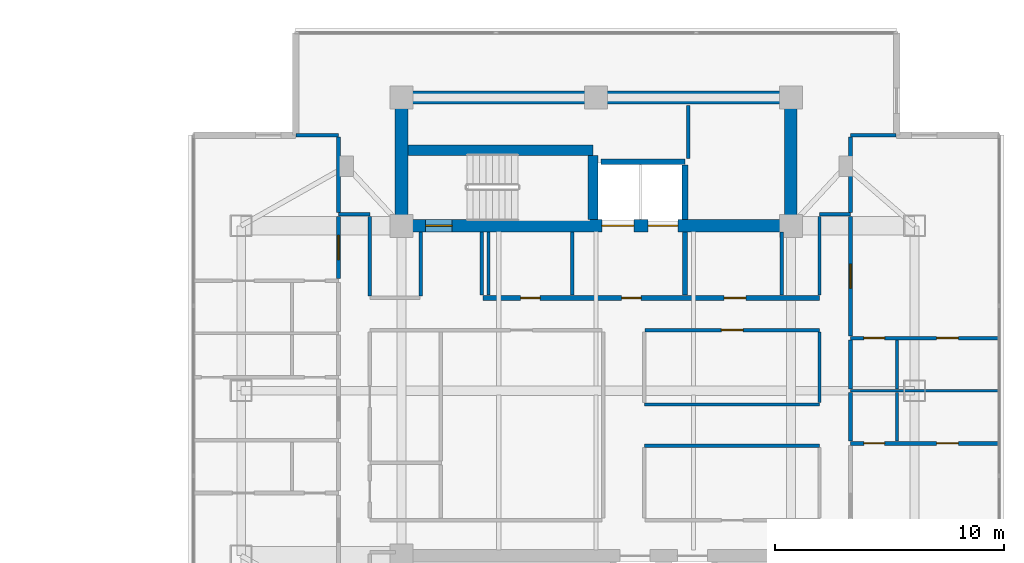
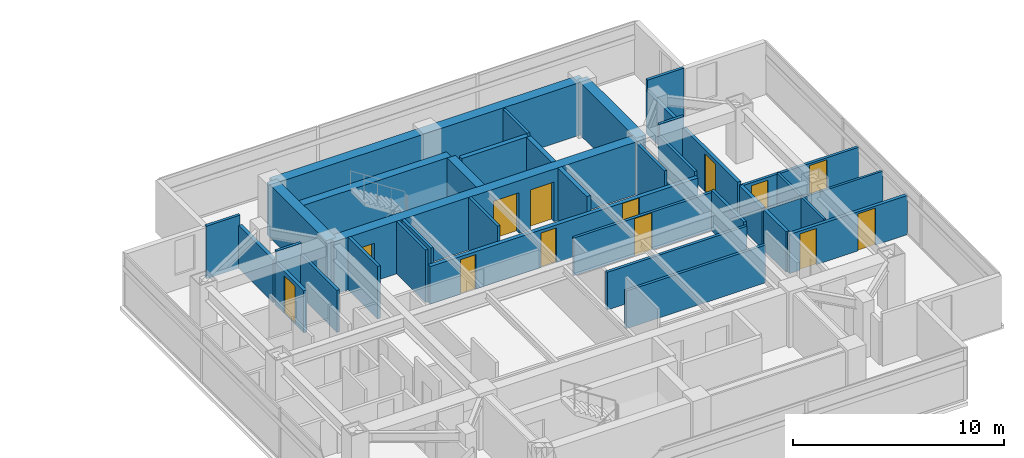
# One storey, part 17 of 24: 37 walls, 13 doors, 13 openings.
"""IFC4 building model written with IfcOpenShell, lengths in metres."""

from ifc_helpers import new_model, si_unit, direction, frame, frame_2d, origin, place, context, subcontext, project, spatial, rectangle, extrude, material, layer, layer_set, type_object, element, fill, save


model = new_model("IFC4")

# Units and contexts
model_context = context("Model", 3, precision=1e-05, world=origin(), true_north=direction((0.0, 1.0)))
body_context = subcontext(model_context, "Body", "Model", "MODEL_VIEW")
ifc_project = project(units=[si_unit("LENGTHUNIT", "METRE"), si_unit("AREAUNIT", "SQUARE_METRE"), si_unit("VOLUMEUNIT", "CUBIC_METRE"), si_unit("PLANEANGLEUNIT", "RADIAN"), si_unit("MASSUNIT", "GRAM", prefix="KILO")], contexts=[model_context])

# Site, building, storey
site_placement = place(None, origin())
site = spatial("IfcSite", under=ifc_project, at=site_placement, CompositionType="ELEMENT")
building_placement = place(site_placement, origin())
building = spatial("IfcBuilding", under=site, at=building_placement, Name="Mirazonda Arch Towers", CompositionType="ELEMENT")
storey_placement = place(building_placement, frame((0.0, 0.0, 167.39990234375)))
storey = spatial("IfcBuildingStorey", under=building, at=storey_placement, Name="L47", CompositionType="ELEMENT", Elevation=167.39990234375)

# Walls
ifc_material_1 = material(Name="Concrete C50/60", Category="concrete")
ifc_layer_1 = layer(ifc_material_1, 0.449951171875, Name="WALL-CORE-450")
ifc_layer_set_1 = layer_set([ifc_layer_1], Name="Concrete C50/60")
wall_type_1 = type_object("IfcWallType", Name="WALL-CORE-450", PredefinedType="SHEAR", material=ifc_layer_set_1)
wall_1_placement = place(storey_placement, frame((68.27001953125, 38.5, 0.0), z_axis=(0.0, 0.0, 1.0), x_axis=(1.0, 0.0, 0.0)))
element("IfcWall", 1, at=wall_1_placement, inside=storey, type_object=wall_type_1, Name="L47 Stair Core Shear Wall 053", PredefinedType="SHEAR", context=body_context, shape_type="SweptSolid", body=[
    extrude(rectangle(XDim=8.090087890625, YDim=0.449951171875, at=frame_2d((4.044921875, 0.0))), origin(), (0.0, 0.0, 1.0), 3.050048828125),
])
wall_2_placement = place(storey_placement, frame((76.360107421875, 35.469970703125, 0.0), z_axis=(0.0, 0.0, 1.0), x_axis=(0.0, 1.0, 0.0)))
element("IfcWall", 2, at=wall_2_placement, inside=storey, type_object=wall_type_1, Name="L47 Stair Core Shear Wall 138", PredefinedType="SHEAR", context=body_context, shape_type="SweptSolid", body=[
    extrude(rectangle(XDim=2.794921875, YDim=0.449951171875, at=frame_2d((1.3974609375, 0.0))), origin(), (0.0, 0.0, 1.0), 3.050048828125),
])
ifc_layer_2 = layer(ifc_material_1, 0.550048828125, Name="WALL-CORE-550")
ifc_layer_set_2 = layer_set([ifc_layer_2], Name="Concrete C50/60")
wall_type_2 = type_object("IfcWallType", Name="WALL-CORE-550", PredefinedType="SHEAR", material=ifc_layer_set_2)
wall_3_placement = place(storey_placement, frame((68.0, 40.800048828125, 0.0), z_axis=(0.0, 0.0, 1.0), x_axis=(1.0, 0.0, 0.0)))
element("IfcWall", 3, at=wall_3_placement, inside=storey, type_object=wall_type_2, Name="L47 T2N-N Core Shear Wall", PredefinedType="SHEAR", context=body_context, shape_type="SweptSolid", body=[
    extrude(rectangle(XDim=17.0, YDim=0.550048828125, at=frame_2d((8.5, 0.0))), origin(), (0.0, 0.0, 1.0), 3.050048828125),
])
for number, where, z_axis, x_axis, name in (
    (4, (68.0, 35.199951171875, 0.0), (0.0, 0.0, 1.0), (0.0, 1.0, 0.0), "L47 T2N-W Core Shear Wall"),
    (5, (85.0, 35.199951171875, 0.0), (0.0, 0.0, 1.0), (0.0, 1.0, 0.0), "L47 T2N-E Core Shear Wall"),
):
    element("IfcWall", number, at=place(storey_placement, frame(where, z_axis=z_axis, x_axis=x_axis)), inside=storey, type_object=wall_type_2, Name=name, PredefinedType="SHEAR", context=body_context, shape_type="SweptSolid", body=[
        extrude(rectangle(XDim=5.60009765625, YDim=0.550048828125, at=frame_2d((2.800048828125, 0.0))), origin(), (0.0, 0.0, 1.0), 3.050048828125),
    ])

# Wall, openings, doors
wall_4_placement = place(storey_placement, frame((68.0, 35.199951171875, 0.0), z_axis=(0.0, 0.0, 1.0), x_axis=(1.0, 0.0, 0.0)))
wall_4 = element("IfcWall", 6, at=wall_4_placement, inside=storey, type_object=wall_type_2, Name="L47 T2N-S Core Shear Wall", PredefinedType="SHEAR", context=body_context, shape_type="SweptSolid", body=[
    extrude(rectangle(XDim=17.0, YDim=0.550048828125, at=frame_2d((8.5, 0.0))), origin(), (0.0, 0.0, 1.0), 3.050048828125),
])
opening_1_placement = place(wall_4_placement, frame((1.06005859375, 0.0, 0.0)))
opening_1 = element("IfcOpeningElement", 7, at=opening_1_placement, cuts=wall_4, Name="Opening DR-135", PredefinedType="OPENING", context=body_context, shape_type="SweptSolid", body=[
    extrude(rectangle(XDim=1.14990234375, YDim=2.199951171875, at=frame_2d((0.574951171875, 1.10009765625))), frame((0.0, 0.284912109375, 0.0), z_axis=(0.0, -1.0, 0.0), x_axis=(1.0, 0.0, 0.0)), (0.0, 0.0, 1.0), 0.570068359375),
])
opening_2_placement = place(wall_4_placement, frame((8.75, 0.0, 0.0)))
opening_2 = element("IfcOpeningElement", 8, at=opening_2_placement, cuts=wall_4, Name="Opening LD-112", PredefinedType="OPENING", context=body_context, shape_type="SweptSolid", body=[
    extrude(rectangle(XDim=1.39990234375, YDim=2.35009765625, at=frame_2d((0.699951171875, 1.175048828125))), frame((0.0, 0.284912109375, 0.0), z_axis=(0.0, -1.0, 0.0), x_axis=(1.0, 0.0, 0.0)), (0.0, 0.0, 1.0), 0.570068359375),
])
opening_3_placement = place(wall_4_placement, frame((10.77001953125, 0.0, 0.0)))
opening_3 = element("IfcOpeningElement", 9, at=opening_3_placement, cuts=wall_4, Name="Opening LD-111", PredefinedType="OPENING", context=body_context, shape_type="SweptSolid", body=[
    extrude(rectangle(XDim=1.300048828125, YDim=2.300048828125, at=frame_2d((0.64990234375, 1.14990234375))), frame((0.0, 0.284912109375, 0.0), z_axis=(0.0, -1.0, 0.0), x_axis=(1.0, 0.0, 0.0)), (0.0, 0.0, 1.0), 0.570068359375),
])
ifc_material_2 = material(Name="Architectural Brushed Steel S355", Category="steel")
door_type_1 = type_object("IfcDoorType", Name="DOOR-LIFT-FFL-1400", OperationType="NOTDEFINED", PredefinedType="DOOR", material=ifc_material_2)
door_1_placement = place(opening_2_placement, origin())
door_1 = element("IfcDoor", 10, at=door_1_placement, inside=storey, type_object=door_type_1, Name="L47 Lift Landing Sliding Door FFL-T2", OperationType="DOUBLE_DOOR_SLIDING", OverallHeight=2.35009765625, OverallWidth=1.39990234375, PredefinedType="DOOR", context=body_context, shape_type="SweptSolid", body=[
    extrude(rectangle(XDim=1.39990234375, YDim=2.35009765625, at=frame_2d((0.699951171875, 1.175048828125))), frame((0.0, 0.02490234375, 0.0), z_axis=(0.0, -1.0, 0.0), x_axis=(1.0, 0.0, 0.0)), (0.0, 0.0, 1.0), 0.050048828125),
])
fill(opening_2, door_1)
door_type_2 = type_object("IfcDoorType", Name="DOOR-LIFT-LAND-1300", OperationType="NOTDEFINED", PredefinedType="DOOR", material=ifc_material_2)
door_2_placement = place(opening_3_placement, origin())
door_2 = element("IfcDoor", 11, at=door_2_placement, inside=storey, type_object=door_type_2, Name="L47 Lift Landing Sliding Door SVL-T2", OperationType="DOUBLE_DOOR_SLIDING", OverallHeight=2.300048828125, OverallWidth=1.300048828125, PredefinedType="DOOR", context=body_context, shape_type="SweptSolid", body=[
    extrude(rectangle(XDim=1.300048828125, YDim=2.300048828125, at=frame_2d((0.64990234375, 1.14990234375))), frame((0.0, 0.02490234375, 0.0), z_axis=(0.0, -1.0, 0.0), x_axis=(1.0, 0.0, 0.0)), (0.0, 0.0, 1.0), 0.050048828125),
])
fill(opening_3, door_2)
door_type_3 = type_object("IfcDoorType", Name="DOOR-STAIR-FD90-1150", OperationType="NOTDEFINED", PredefinedType="DOOR", material=ifc_material_2)
door_3_placement = place(opening_1_placement, origin())
door_3 = element("IfcDoor", 12, at=door_3_placement, inside=storey, type_object=door_type_3, Name="L47 East Protected Stair North Door", OperationType="SINGLE_SWING_RIGHT", OverallHeight=2.199951171875, OverallWidth=1.14990234375, PredefinedType="DOOR", context=body_context, shape_type="SweptSolid", body=[
    extrude(rectangle(XDim=1.14990234375, YDim=2.199951171875, at=frame_2d((0.574951171875, 1.10009765625))), frame((0.0, 0.02490234375, 0.0), z_axis=(0.0, -1.0, 0.0), x_axis=(1.0, 0.0, 0.0)), (0.0, 0.0, 1.0), 0.050048828125),
])
fill(opening_1, door_3)

ifc_material_3 = material(Name="Concrete C40/50", Category="concrete")
ifc_layer_3 = layer(ifc_material_3, 0.219970703125, Name="WALL-FFL-220")
ifc_layer_set_3 = layer_set([ifc_layer_3], Name="Concrete C40/50")
wall_type_3 = type_object("IfcWallType", Name="WALL-FFL-220", PredefinedType="SOLIDWALL", material=ifc_layer_set_3)
wall_5_placement = place(storey_placement, frame((71.550048828125, 32.050048828125, 0.0), z_axis=(0.0, 0.0, 1.0), x_axis=(1.0, 0.0, 0.0)))
wall_5 = element("IfcWall", 13, at=wall_5_placement, inside=storey, type_object=wall_type_3, Name="L47 Interior Partition 043", PredefinedType="SOLIDWALL", context=body_context, shape_type="SweptSolid", body=[
    extrude(rectangle(XDim=14.699951171875, YDim=0.219970703125, at=frame_2d((7.35009765625, 0.0))), origin(), (0.0, 0.0, 1.0), 2.18603515625),
])
opening_4_placement = place(wall_5_placement, frame((6.06494140625, 0.0, 0.0)))
opening_4 = element("IfcOpeningElement", 14, at=opening_4_placement, cuts=wall_5, Name="Opening DR-128", PredefinedType="OPENING", context=body_context, shape_type="SweptSolid", body=[
    extrude(rectangle(XDim=0.85009765625, YDim=2.010009765625, at=frame_2d((0.425048828125, 1.0048828125))), frame((0.0, 0.119873046875, 0.0), z_axis=(0.0, -1.0, 0.0), x_axis=(1.0, 0.0, 0.0)), (0.0, 0.0, 1.0), 0.239990234375),
])
opening_5_placement = place(wall_5_placement, frame((10.534912109375, 0.0, 0.0)))
opening_5 = element("IfcOpeningElement", 15, at=opening_5_placement, cuts=wall_5, Name="Opening DR-104", PredefinedType="OPENING", context=body_context, shape_type="SweptSolid", body=[
    extrude(rectangle(XDim=0.949951171875, YDim=2.14990234375, at=frame_2d((0.47509765625, 1.074951171875))), frame((0.0, 0.119873046875, 0.0), z_axis=(0.0, -1.0, 0.0), x_axis=(1.0, 0.0, 0.0)), (0.0, 0.0, 1.0), 0.239990234375),
])
opening_6_placement = place(wall_5_placement, frame((1.64990234375, 0.0, 0.0)))
opening_6 = element("IfcOpeningElement", 16, at=opening_6_placement, cuts=wall_5, Name="Opening DR-128", PredefinedType="OPENING", context=body_context, shape_type="SweptSolid", body=[
    extrude(rectangle(XDim=0.85009765625, YDim=2.010009765625, at=frame_2d((0.425048828125, 1.0048828125))), frame((0.0, 0.119873046875, 0.0), z_axis=(0.0, -1.0, 0.0), x_axis=(1.0, 0.0, 0.0)), (0.0, 0.0, 1.0), 0.239990234375),
])
door_type_4 = type_object("IfcDoorType", Name="DOOR-RISER-FD60-850", OperationType="NOTDEFINED", PredefinedType="DOOR", material=ifc_material_2)
door_4_placement = place(opening_4_placement, origin())
door_4 = element("IfcDoor", 17, at=door_4_placement, inside=storey, type_object=door_type_4, Name="L47 East Firefighting Lift Lobby Door", OperationType="SINGLE_SWING_LEFT", OverallHeight=2.010009765625, OverallWidth=0.85009765625, PredefinedType="DOOR", context=body_context, shape_type="SweptSolid", body=[
    extrude(rectangle(XDim=0.85009765625, YDim=2.010009765625, at=frame_2d((0.425048828125, 1.0048828125))), frame((0.0, 0.02490234375, 0.0), z_axis=(0.0, -1.0, 0.0), x_axis=(1.0, 0.0, 0.0)), (0.0, 0.0, 1.0), 0.050048828125),
])
fill(opening_4, door_4)
door_5_placement = place(opening_6_placement, origin())
door_5 = element("IfcDoor", 18, at=door_5_placement, inside=storey, type_object=door_type_4, Name="L47 Tower 2 Housekeeping & Linen Room Door", OperationType="SINGLE_SWING_LEFT", OverallHeight=2.010009765625, OverallWidth=0.85009765625, PredefinedType="DOOR", context=body_context, shape_type="SweptSolid", body=[
    extrude(rectangle(XDim=0.85009765625, YDim=2.010009765625, at=frame_2d((0.425048828125, 1.0048828125))), frame((0.0, 0.02490234375, 0.0), z_axis=(0.0, -1.0, 0.0), x_axis=(1.0, 0.0, 0.0)), (0.0, 0.0, 1.0), 0.050048828125),
])
fill(opening_6, door_5)
door_type_5 = type_object("IfcDoorType", Name="DOOR-ROOM-950", OperationType="NOTDEFINED", PredefinedType="DOOR", material=ifc_material_2)
door_6_placement = place(opening_5_placement, origin())
door_6 = element("IfcDoor", 19, at=door_6_placement, inside=storey, type_object=door_type_5, Name="L47 East Sky Reading Library Door", OperationType="SINGLE_SWING_RIGHT", OverallHeight=2.14990234375, OverallWidth=0.949951171875, PredefinedType="DOOR", context=body_context, shape_type="SweptSolid", body=[
    extrude(rectangle(XDim=0.949951171875, YDim=2.14990234375, at=frame_2d((0.47509765625, 1.074951171875))), frame((0.0, 0.02490234375, 0.0), z_axis=(0.0, -1.0, 0.0), x_axis=(1.0, 0.0, 0.0)), (0.0, 0.0, 1.0), 0.050048828125),
])
fill(opening_5, door_6)

# Walls
wall_6_placement = place(storey_placement, frame((80.3798828125, 32.169921875, 0.0), z_axis=(0.0, 0.0, 1.0), x_axis=(0.0, 1.0, 0.0)))
element("IfcWall", 20, at=wall_6_placement, inside=storey, type_object=wall_type_3, Name="L47 Interior Partition 143", PredefinedType="SOLIDWALL", context=body_context, shape_type="SweptSolid", body=[
    extrude(rectangle(XDim=2.760009765625, YDim=0.219970703125, at=frame_2d((1.3798828125, 0.0))), origin(), (0.0, 0.0, 1.0), 3.050048828125),
])
ifc_material_4 = material(Name="Fire-Rated Gypsum Stud Partition")
ifc_layer_4 = layer(ifc_material_4, 0.14990234375, Name="WALL-PART-CORR-150")
ifc_layer_set_4 = layer_set([ifc_layer_4], Name="Fire-Rated Gypsum Stud Partition")
wall_type_4 = type_object("IfcWallType", Name="WALL-PART-CORR-150", PredefinedType="PARTITIONING", material=ifc_layer_set_4)
for number, where, z_axis, x_axis, name in (
    (21, (78.60009765625, 25.60009765625, 0.0), (0.0, 0.0, 1.0), (1.0, 0.0, 0.0), "L47 Interior Partition 027"),
    (22, (78.60009765625, 27.39990234375, 0.0), (0.0, 0.0, 1.0), (1.0, 0.0, 0.0), "L47 Interior Partition 031"),
):
    element("IfcWall", number, at=place(storey_placement, frame(where, z_axis=z_axis, x_axis=x_axis)), inside=storey, type_object=wall_type_4, Name=name, PredefinedType="PARTITIONING", context=body_context, shape_type="SweptSolid", body=[
        extrude(rectangle(XDim=7.64990234375, YDim=0.14990234375, at=frame_2d((3.824951171875, 0.0))), origin(), (0.0, 0.0, 1.0), 2.18603515625),
    ])

# Wall, openings, doors
wall_7_placement = place(storey_placement, frame((87.60009765625, 30.300048828125, 0.0), z_axis=(0.0, 0.0, 1.0), x_axis=(1.0, 0.0, 0.0)))
wall_7 = element("IfcWall", 23, at=wall_7_placement, inside=storey, type_object=wall_type_4, Name="L47 Interior Partition 036", PredefinedType="PARTITIONING", context=body_context, shape_type="SweptSolid", body=[
    extrude(rectangle(XDim=6.48486328125, YDim=0.14990234375, at=frame_2d((3.242431640625, 0.0))), origin(), (0.0, 0.0, 1.0), 2.26904296875),
])
opening_7_placement = place(wall_7_placement, frame((3.767578125, 0.0, 0.0)))
opening_7 = element("IfcOpeningElement", 24, at=opening_7_placement, cuts=wall_7, Name="Opening DR-104", PredefinedType="OPENING", context=body_context, shape_type="SweptSolid", body=[
    extrude(rectangle(XDim=0.949951171875, YDim=2.14990234375, at=frame_2d((0.47509765625, 1.074951171875))), frame((0.0, 0.0849609375, 0.0), z_axis=(0.0, -1.0, 0.0), x_axis=(1.0, 0.0, 0.0)), (0.0, 0.0, 1.0), 0.169921875),
])
opening_8_placement = place(wall_7_placement, frame((0.590087890625, 0.0, 0.0)))
opening_8 = element("IfcOpeningElement", 25, at=opening_8_placement, cuts=wall_7, Name="Opening DR-120", PredefinedType="OPENING", context=body_context, shape_type="SweptSolid", body=[
    extrude(rectangle(XDim=0.89990234375, YDim=2.10009765625, at=frame_2d((0.449951171875, 1.050048828125))), frame((0.0, 0.0849609375, 0.0), z_axis=(0.0, -1.0, 0.0), x_axis=(1.0, 0.0, 0.0)), (0.0, 0.0, 1.0), 0.169921875),
])
door_7_placement = place(opening_7_placement, origin())
door_7 = element("IfcDoor", 26, at=door_7_placement, inside=storey, type_object=door_type_5, Name="L47 Studio 2 Galley Kitchen Door", OperationType="SINGLE_SWING_LEFT", OverallHeight=2.14990234375, OverallWidth=0.949951171875, PredefinedType="DOOR", context=body_context, shape_type="SweptSolid", body=[
    extrude(rectangle(XDim=0.949951171875, YDim=2.14990234375, at=frame_2d((0.47509765625, 1.074951171875))), frame((0.0, 0.02490234375, 0.0), z_axis=(0.0, -1.0, 0.0), x_axis=(1.0, 0.0, 0.0)), (0.0, 0.0, 1.0), 0.050048828125),
])
fill(opening_7, door_7)
door_type_6 = type_object("IfcDoorType", Name="DOOR-WC-900", OperationType="NOTDEFINED", PredefinedType="DOOR", material=ifc_material_2)
door_8_placement = place(opening_8_placement, origin())
door_8 = element("IfcDoor", 27, at=door_8_placement, inside=storey, type_object=door_type_6, Name="L47 Studio 2 Bathroom Door", OperationType="SINGLE_SWING_RIGHT", OverallHeight=2.10009765625, OverallWidth=0.89990234375, PredefinedType="DOOR", context=body_context, shape_type="SweptSolid", body=[
    extrude(rectangle(XDim=0.89990234375, YDim=2.10009765625, at=frame_2d((0.449951171875, 1.050048828125))), frame((0.0, 0.02490234375, 0.0), z_axis=(0.0, -1.0, 0.0), x_axis=(1.0, 0.0, 0.0)), (0.0, 0.0, 1.0), 0.050048828125),
])
fill(opening_8, door_8)

# Wall, opening, door
wall_8_placement = place(storey_placement, frame((78.639892578125, 30.64990234375, 0.0), z_axis=(0.0, 0.0, 1.0), x_axis=(1.0, 0.0, 0.0)))
wall_8 = element("IfcWall", 28, at=wall_8_placement, inside=storey, type_object=wall_type_4, Name="L47 Interior Partition 040", PredefinedType="PARTITIONING", context=body_context, shape_type="SweptSolid", body=[
    extrude(rectangle(XDim=7.610107421875, YDim=0.14990234375, at=frame_2d((3.80517578125, 0.0))), origin(), (0.0, 0.0, 1.0), 2.18603515625),
])
opening_9_placement = place(wall_8_placement, frame((3.330078125, 0.0, 0.0)))
opening_9 = element("IfcOpeningElement", 29, at=opening_9_placement, cuts=wall_8, Name="Opening DR-104", PredefinedType="OPENING", context=body_context, shape_type="SweptSolid", body=[
    extrude(rectangle(XDim=0.949951171875, YDim=2.14990234375, at=frame_2d((0.47509765625, 1.074951171875))), frame((0.0, 0.0849609375, 0.0), z_axis=(0.0, -1.0, 0.0), x_axis=(1.0, 0.0, 0.0)), (0.0, 0.0, 1.0), 0.169921875),
])
door_9_placement = place(opening_9_placement, origin())
door_9 = element("IfcDoor", 30, at=door_9_placement, inside=storey, type_object=door_type_5, Name="L47 L47 Tower 2 North-East Study Door", OperationType="SINGLE_SWING_RIGHT", OverallHeight=2.14990234375, OverallWidth=0.949951171875, PredefinedType="DOOR", context=body_context, shape_type="SweptSolid", body=[
    extrude(rectangle(XDim=0.949951171875, YDim=2.14990234375, at=frame_2d((0.47509765625, 1.074951171875))), frame((0.0, 0.02490234375, 0.0), z_axis=(0.0, -1.0, 0.0), x_axis=(1.0, 0.0, 0.0)), (0.0, 0.0, 1.0), 0.050048828125),
])
fill(opening_9, door_9)

# Walls
wall_9_placement = place(storey_placement, frame((65.25, 35.699951171875, 0.0), z_axis=(0.0, 0.0, 1.0), x_axis=(1.0, 0.0, 0.0)))
element("IfcWall", 31, at=wall_9_placement, inside=storey, type_object=wall_type_4, Name="L47 Interior Partition 049", PredefinedType="PARTITIONING", context=body_context, shape_type="SweptSolid", body=[
    extrude(rectangle(XDim=1.3701171875, YDim=0.14990234375, at=frame_2d((0.68505859375, 0.0))), origin(), (0.0, 0.0, 1.0), 3.050048828125),
])
wall_10_placement = place(storey_placement, frame((86.25, 35.699951171875, 0.0), z_axis=(0.0, 0.0, 1.0), x_axis=(1.0, 0.0, 0.0)))
element("IfcWall", 32, at=wall_10_placement, inside=storey, type_object=wall_type_4, Name="L47 Interior Partition 050", PredefinedType="PARTITIONING", context=body_context, shape_type="SweptSolid", body=[
    extrude(rectangle(XDim=1.35009765625, YDim=0.14990234375, at=frame_2d((0.675048828125, 0.0))), origin(), (0.0, 0.0, 1.0), 3.050048828125),
])
wall_11_placement = place(storey_placement, frame((63.400634765625, 39.159912109375, 0.0), z_axis=(0.0, 0.0, 1.0), x_axis=(1.0, 0.0, 0.0)))
element("IfcWall", 33, at=wall_11_placement, inside=storey, type_object=wall_type_4, Name="L47 Interior Partition 054", PredefinedType="PARTITIONING", context=body_context, shape_type="SweptSolid", body=[
    extrude(rectangle(XDim=1.849365234375, YDim=0.14990234375, at=frame_2d((0.9248046875, 0.0))), origin(), (0.0, 0.0, 1.0), 3.050048828125),
])
wall_12_placement = place(storey_placement, frame((87.60009765625, 39.159912109375, 0.0), z_axis=(0.0, 0.0, 1.0), x_axis=(1.0, 0.0, 0.0)))
element("IfcWall", 34, at=wall_12_placement, inside=storey, type_object=wall_type_4, Name="L47 Interior Partition 055", PredefinedType="PARTITIONING", context=body_context, shape_type="SweptSolid", body=[
    extrude(rectangle(XDim=1.999267578125, YDim=0.14990234375, at=frame_2d((0.99951171875, 0.0))), origin(), (0.0, 0.0, 1.0), 3.050048828125),
])
wall_13_placement = place(storey_placement, frame((66.6201171875, 32.135009765625, 0.0), z_axis=(0.0, 0.0, 1.0), x_axis=(0.0, 1.0, 0.0)))
element("IfcWall", 35, at=wall_13_placement, inside=storey, type_object=wall_type_4, Name="L47 Interior Partition 130", PredefinedType="PARTITIONING", context=body_context, shape_type="SweptSolid", body=[
    extrude(rectangle(XDim=3.47998046875, YDim=0.14990234375, at=frame_2d((1.739990234375, 0.0))), origin(), (0.0, 0.0, 1.0), 2.442138671875),
])
wall_14_placement = place(storey_placement, frame((68.85009765625, 32.135009765625, 0.0), z_axis=(0.0, 0.0, 1.0), x_axis=(0.0, 1.0, 0.0)))
element("IfcWall", 36, at=wall_14_placement, inside=storey, type_object=wall_type_4, Name="L47 Interior Partition 131", PredefinedType="PARTITIONING", context=body_context, shape_type="SweptSolid", body=[
    extrude(rectangle(XDim=2.794921875, YDim=0.14990234375, at=frame_2d((1.3974609375, 0.0))), origin(), (0.0, 0.0, 1.0), 3.050048828125),
])
for number, where, z_axis, x_axis, name in (
    (37, (71.5, 32.169921875, 0.0), (0.0, 0.0, 1.0), (0.0, 1.0, 0.0), "L47 Interior Partition 134"),
    (38, (71.800048828125, 32.169921875, 0.0), (0.0, 0.0, 1.0), (0.0, 1.0, 0.0), "L47 Interior Partition 135"),
    (39, (75.449951171875, 32.169921875, 0.0), (0.0, 0.0, 1.0), (0.0, 1.0, 0.0), "L47 Interior Partition 136"),
):
    element("IfcWall", number, at=place(storey_placement, frame(where, z_axis=z_axis, x_axis=x_axis)), inside=storey, type_object=wall_type_4, Name=name, PredefinedType="PARTITIONING", context=body_context, shape_type="SweptSolid", body=[
        extrude(rectangle(XDim=2.760009765625, YDim=0.14990234375, at=frame_2d((1.3798828125, 0.0))), origin(), (0.0, 0.0, 1.0), 3.050048828125),
    ])
wall_15_placement = place(storey_placement, frame((80.52001953125, 38.135009765625, 0.0), z_axis=(0.0, 0.0, 1.0), x_axis=(0.0, 1.0, 0.0)))
element("IfcWall", 40, at=wall_15_placement, inside=storey, type_object=wall_type_4, Name="L47 Interior Partition 145", PredefinedType="PARTITIONING", context=body_context, shape_type="SweptSolid", body=[
    extrude(rectangle(XDim=2.31494140625, YDim=0.14990234375, at=frame_2d((1.157470703125, 0.0))), origin(), (0.0, 0.0, 1.0), 3.050048828125),
])
wall_16_placement = place(storey_placement, frame((84.60009765625, 32.169921875, 0.0), z_axis=(0.0, 0.0, 1.0), x_axis=(0.0, 1.0, 0.0)))
element("IfcWall", 41, at=wall_16_placement, inside=storey, type_object=wall_type_4, Name="L47 Interior Partition 147", PredefinedType="PARTITIONING", context=body_context, shape_type="SweptSolid", body=[
    extrude(rectangle(XDim=2.760009765625, YDim=0.14990234375, at=frame_2d((1.3798828125, 0.0))), origin(), (0.0, 0.0, 1.0), 3.050048828125),
])
wall_17_placement = place(storey_placement, frame((86.25, 27.485107421875, 0.0), z_axis=(0.0, 0.0, 1.0), x_axis=(0.0, 1.0, 0.0)))
element("IfcWall", 42, at=wall_17_placement, inside=storey, type_object=wall_type_4, Name="L47 Interior Partition 150", PredefinedType="PARTITIONING", context=body_context, shape_type="SweptSolid", body=[
    extrude(rectangle(XDim=3.079833984375, YDim=0.14990234375, at=frame_2d((1.5400390625, 0.0))), origin(), (0.0, 0.0, 1.0), 2.34619140625),
])
wall_18_placement = place(storey_placement, frame((86.25, 32.169921875, 0.0), z_axis=(0.0, 0.0, 1.0), x_axis=(0.0, 1.0, 0.0)))
element("IfcWall", 43, at=wall_18_placement, inside=storey, type_object=wall_type_4, Name="L47 Interior Partition 151", PredefinedType="PARTITIONING", context=body_context, shape_type="SweptSolid", body=[
    extrude(rectangle(XDim=3.445068359375, YDim=0.14990234375, at=frame_2d((1.72265625, 0.0))), origin(), (0.0, 0.0, 1.0), 2.442138671875),
])

# Wall, openings, doors
ifc_material_5 = material(Name="Fire-Rated Gypsum Twin-Stud Assembly")
ifc_layer_5 = layer(ifc_material_5, 0.179931640625, Name="WALL-PART-DEMISE-180")
ifc_layer_set_5 = layer_set([ifc_layer_5], Name="Fire-Rated Gypsum Twin-Stud Assembly")
wall_type_5 = type_object("IfcWallType", Name="WALL-PART-DEMISE-180", PredefinedType="PARTITIONING", material=ifc_layer_set_5)
wall_19_placement = place(storey_placement, frame((87.60009765625, 25.699951171875, 0.0), z_axis=(0.0, 0.0, 1.0), x_axis=(1.0, 0.0, 0.0)))
wall_19 = element("IfcWall", 44, at=wall_19_placement, inside=storey, type_object=wall_type_5, Name="L47 Interior Partition 029", PredefinedType="PARTITIONING", context=body_context, shape_type="SweptSolid", body=[
    extrude(rectangle(XDim=6.48486328125, YDim=0.179931640625, at=frame_2d((3.242431640625, 0.0))), origin(), (0.0, 0.0, 1.0), 2.26904296875),
])
opening_10_placement = place(wall_19_placement, frame((3.767578125, 0.0, 0.0)))
opening_10 = element("IfcOpeningElement", 45, at=opening_10_placement, cuts=wall_19, Name="Opening DR-104", PredefinedType="OPENING", context=body_context, shape_type="SweptSolid", body=[
    extrude(rectangle(XDim=0.949951171875, YDim=2.14990234375, at=frame_2d((0.47509765625, 1.074951171875))), frame((0.0, 0.099853515625, 0.0), z_axis=(0.0, -1.0, 0.0), x_axis=(1.0, 0.0, 0.0)), (0.0, 0.0, 1.0), 0.199951171875),
])
opening_11_placement = place(wall_19_placement, frame((0.590087890625, 0.0, 0.0)))
opening_11 = element("IfcOpeningElement", 46, at=opening_11_placement, cuts=wall_19, Name="Opening DR-120", PredefinedType="OPENING", context=body_context, shape_type="SweptSolid", body=[
    extrude(rectangle(XDim=0.89990234375, YDim=2.10009765625, at=frame_2d((0.449951171875, 1.050048828125))), frame((0.0, 0.099853515625, 0.0), z_axis=(0.0, -1.0, 0.0), x_axis=(1.0, 0.0, 0.0)), (0.0, 0.0, 1.0), 0.199951171875),
])
door_10_placement = place(opening_10_placement, origin())
door_10 = element("IfcDoor", 47, at=door_10_placement, inside=storey, type_object=door_type_5, Name="L47 Studio 1 Galley Kitchen Door", OperationType="SINGLE_SWING_RIGHT", OverallHeight=2.14990234375, OverallWidth=0.949951171875, PredefinedType="DOOR", context=body_context, shape_type="SweptSolid", body=[
    extrude(rectangle(XDim=0.949951171875, YDim=2.14990234375, at=frame_2d((0.47509765625, 1.074951171875))), frame((0.0, 0.02490234375, 0.0), z_axis=(0.0, -1.0, 0.0), x_axis=(1.0, 0.0, 0.0)), (0.0, 0.0, 1.0), 0.050048828125),
])
fill(opening_10, door_10)
door_11_placement = place(opening_11_placement, origin())
door_11 = element("IfcDoor", 48, at=door_11_placement, inside=storey, type_object=door_type_6, Name="L47 Studio 1 Bathroom Door", OperationType="SINGLE_SWING_LEFT", OverallHeight=2.10009765625, OverallWidth=0.89990234375, PredefinedType="DOOR", context=body_context, shape_type="SweptSolid", body=[
    extrude(rectangle(XDim=0.89990234375, YDim=2.10009765625, at=frame_2d((0.449951171875, 1.050048828125))), frame((0.0, 0.02490234375, 0.0), z_axis=(0.0, -1.0, 0.0), x_axis=(1.0, 0.0, 0.0)), (0.0, 0.0, 1.0), 0.050048828125),
])
fill(opening_11, door_11)

# Wall, opening, door
wall_20_placement = place(storey_placement, frame((65.25, 32.89306640625, 0.0), z_axis=(0.0, 0.0, 1.0), x_axis=(0.0, 1.0, 0.0)))
wall_20 = element("IfcWall", 49, at=wall_20_placement, inside=storey, type_object=wall_type_5, Name="L47 Interior Partition 125", PredefinedType="PARTITIONING", context=body_context, shape_type="SweptSolid", body=[
    extrude(rectangle(XDim=2.721923828125, YDim=0.179931640625, at=frame_2d((1.36083984375, 0.0))), origin(), (0.0, 0.0, 1.0), 2.442138671875),
])
opening_12_placement = place(wall_20_placement, frame((0.8359375, 0.0, 0.0)))
opening_12 = element("IfcOpeningElement", 50, at=opening_12_placement, cuts=wall_20, Name="Opening DR-121", PredefinedType="OPENING", context=body_context, shape_type="SweptSolid", body=[
    extrude(rectangle(XDim=1.050048828125, YDim=2.199951171875, at=frame_2d((0.52490234375, 1.10009765625))), frame((0.0, 0.099853515625, 0.0), z_axis=(0.0, -1.0, 0.0), x_axis=(1.0, 0.0, 0.0)), (0.0, 0.0, 1.0), 0.199951171875),
])
door_type_7 = type_object("IfcDoorType", Name="DOOR-SUITE-FD60-1050", OperationType="NOTDEFINED", PredefinedType="DOOR", material=ifc_material_2)
door_12_placement = place(opening_12_placement, origin())
door_12 = element("IfcDoor", 51, at=door_12_placement, inside=storey, type_object=door_type_7, Name="L47 Studio Apartment 3 Living Salon Door", OperationType="SINGLE_SWING_RIGHT", OverallHeight=2.199951171875, OverallWidth=1.050048828125, PredefinedType="DOOR", context=body_context, shape_type="SweptSolid", body=[
    extrude(rectangle(XDim=1.050048828125, YDim=2.199951171875, at=frame_2d((0.52490234375, 1.10009765625))), frame((0.0, 0.02490234375, 0.0), z_axis=(0.0, -1.0, 0.0), x_axis=(1.0, 0.0, 0.0)), (0.0, 0.0, 1.0), 0.050048828125),
])
fill(opening_12, door_12)

# Walls
wall_21_placement = place(storey_placement, frame((65.25, 35.784912109375, 0.0), z_axis=(0.0, 0.0, 1.0), x_axis=(0.0, 1.0, 0.0)))
element("IfcWall", 52, at=wall_21_placement, inside=storey, type_object=wall_type_5, Name="L47 Interior Partition 126", PredefinedType="PARTITIONING", context=body_context, shape_type="SweptSolid", body=[
    extrude(rectangle(XDim=3.2900390625, YDim=0.179931640625, at=frame_2d((1.64501953125, 0.0))), origin(), (0.0, 0.0, 1.0), 2.4931640625),
])
wall_22_placement = place(storey_placement, frame((87.60009765625, 25.800048828125, 0.0), z_axis=(0.0, 0.0, 1.0), x_axis=(0.0, 1.0, 0.0)))
element("IfcWall", 53, at=wall_22_placement, inside=storey, type_object=wall_type_5, Name="L47 Interior Partition 154", PredefinedType="PARTITIONING", context=body_context, shape_type="SweptSolid", body=[
    extrude(rectangle(XDim=2.12744140625, YDim=0.179931640625, at=frame_2d((1.063720703125, 0.0))), origin(), (0.0, 0.0, 1.0), 2.34619140625),
])
wall_23_placement = place(storey_placement, frame((87.60009765625, 28.072509765625, 0.0), z_axis=(0.0, 0.0, 1.0), x_axis=(0.0, 1.0, 0.0)))
element("IfcWall", 54, at=wall_23_placement, inside=storey, type_object=wall_type_5, Name="L47 Interior Partition 155", PredefinedType="PARTITIONING", context=body_context, shape_type="SweptSolid", body=[
    extrude(rectangle(XDim=2.142578125, YDim=0.179931640625, at=frame_2d((1.0712890625, 0.0))), origin(), (0.0, 0.0, 1.0), 2.34619140625),
])

# Wall, opening, door
wall_24_placement = place(storey_placement, frame((87.60009765625, 30.385009765625, 0.0), z_axis=(0.0, 0.0, 1.0), x_axis=(0.0, 1.0, 0.0)))
wall_24 = element("IfcWall", 55, at=wall_24_placement, inside=storey, type_object=wall_type_5, Name="L47 Interior Partition 156", PredefinedType="PARTITIONING", context=body_context, shape_type="SweptSolid", body=[
    extrude(rectangle(XDim=5.22998046875, YDim=0.179931640625, at=frame_2d((2.614990234375, 0.0))), origin(), (0.0, 0.0, 1.0), 2.442138671875),
])
opening_13_placement = place(wall_24_placement, frame((2.090087890625, 0.0, 0.0)))
opening_13 = element("IfcOpeningElement", 56, at=opening_13_placement, cuts=wall_24, Name="Opening DR-121", PredefinedType="OPENING", context=body_context, shape_type="SweptSolid", body=[
    extrude(rectangle(XDim=1.050048828125, YDim=2.199951171875, at=frame_2d((0.52490234375, 1.10009765625))), frame((0.0, 0.099853515625, 0.0), z_axis=(0.0, -1.0, 0.0), x_axis=(1.0, 0.0, 0.0)), (0.0, 0.0, 1.0), 0.199951171875),
])
door_13_placement = place(opening_13_placement, origin())
door_13 = element("IfcDoor", 57, at=door_13_placement, inside=storey, type_object=door_type_7, Name="L47 Studio Apartment 2 Living Salon Door", OperationType="SINGLE_SWING_RIGHT", OverallHeight=2.199951171875, OverallWidth=1.050048828125, PredefinedType="DOOR", context=body_context, shape_type="SweptSolid", body=[
    extrude(rectangle(XDim=1.050048828125, YDim=2.199951171875, at=frame_2d((0.52490234375, 1.10009765625))), frame((0.0, 0.02490234375, 0.0), z_axis=(0.0, -1.0, 0.0), x_axis=(1.0, 0.0, 0.0)), (0.0, 0.0, 1.0), 0.050048828125),
])
fill(opening_13, door_13)

# Walls
wall_25_placement = place(storey_placement, frame((87.60009765625, 35.784912109375, 0.0), z_axis=(0.0, 0.0, 1.0), x_axis=(0.0, 1.0, 0.0)))
element("IfcWall", 58, at=wall_25_placement, inside=storey, type_object=wall_type_5, Name="L47 Interior Partition 157", PredefinedType="PARTITIONING", context=body_context, shape_type="SweptSolid", body=[
    extrude(rectangle(XDim=3.2900390625, YDim=0.179931640625, at=frame_2d((1.64501953125, 0.0))), origin(), (0.0, 0.0, 1.0), 2.4931640625),
])
ifc_material_6 = material(Name="Acoustic Fire-Rated Gypsum Partition")
ifc_layer_6 = layer(ifc_material_6, 0.125, Name="WALL-PART-UNIT-125")
ifc_layer_set_6 = layer_set([ifc_layer_6], Name="Acoustic Fire-Rated Gypsum Partition")
wall_type_6 = type_object("IfcWallType", Name="WALL-PART-UNIT-125", PredefinedType="PARTITIONING", material=ifc_layer_set_6)
wall_26_placement = place(storey_placement, frame((87.60009765625, 28.0, 0.0), z_axis=(0.0, 0.0, 1.0), x_axis=(1.0, 0.0, 0.0)))
element("IfcWall", 59, at=wall_26_placement, inside=storey, type_object=wall_type_6, Name="L47 Interior Partition 033", PredefinedType="PARTITIONING", context=body_context, shape_type="SweptSolid", body=[
    extrude(rectangle(XDim=6.48486328125, YDim=0.125, at=frame_2d((3.242431640625, 0.0))), origin(), (0.0, 0.0, 1.0), 2.26904296875),
])
wall_27_placement = place(storey_placement, frame((89.639892578125, 25.800048828125, 0.0), z_axis=(0.0, 0.0, 1.0), x_axis=(0.0, 1.0, 0.0)))
element("IfcWall", 60, at=wall_27_placement, inside=storey, type_object=wall_type_6, Name="L47 Interior Partition 158", PredefinedType="PARTITIONING", context=body_context, shape_type="SweptSolid", body=[
    extrude(rectangle(XDim=2.12744140625, YDim=0.125, at=frame_2d((1.063720703125, 0.0))), origin(), (0.0, 0.0, 1.0), 2.34619140625),
])
wall_28_placement = place(storey_placement, frame((89.639892578125, 28.072509765625, 0.0), z_axis=(0.0, 0.0, 1.0), x_axis=(0.0, 1.0, 0.0)))
element("IfcWall", 61, at=wall_28_placement, inside=storey, type_object=wall_type_6, Name="L47 Interior Partition 159", PredefinedType="PARTITIONING", context=body_context, shape_type="SweptSolid", body=[
    extrude(rectangle(XDim=2.142578125, YDim=0.125, at=frame_2d((1.0712890625, 0.0))), origin(), (0.0, 0.0, 1.0), 2.34619140625),
])
ifc_layer_7 = layer(ifc_material_3, 0.25, Name="WALL-SHAFT-250")
ifc_layer_set_7 = layer_set([ifc_layer_7], Name="Concrete C40/50")
wall_type_7 = type_object("IfcWallType", Name="WALL-SHAFT-250", PredefinedType="SOLIDWALL", material=ifc_layer_set_7)
wall_29_placement = place(storey_placement, frame((76.719970703125, 38.0, 0.0), z_axis=(0.0, 0.0, 1.0), x_axis=(1.0, 0.0, 0.0)))
element("IfcWall", 62, at=wall_29_placement, inside=storey, type_object=wall_type_7, Name="L47 Interior Partition 052", PredefinedType="SOLIDWALL", context=body_context, shape_type="SweptSolid", body=[
    extrude(rectangle(XDim=3.659912109375, YDim=0.25, at=frame_2d((1.830078125, 0.0))), origin(), (0.0, 0.0, 1.0), 3.050048828125),
])
wall_30_placement = place(storey_placement, frame((80.3798828125, 35.469970703125, 0.0), z_axis=(0.0, 0.0, 1.0), x_axis=(0.0, 1.0, 0.0)))
element("IfcWall", 63, at=wall_30_placement, inside=storey, type_object=wall_type_7, Name="L47 Interior Partition 144", PredefinedType="SOLIDWALL", context=body_context, shape_type="SweptSolid", body=[
    extrude(rectangle(XDim=2.39501953125, YDim=0.25, at=frame_2d((1.197509765625, 0.0))), origin(), (0.0, 0.0, 1.0), 3.050048828125),
])

save(model, "model.ifc")
